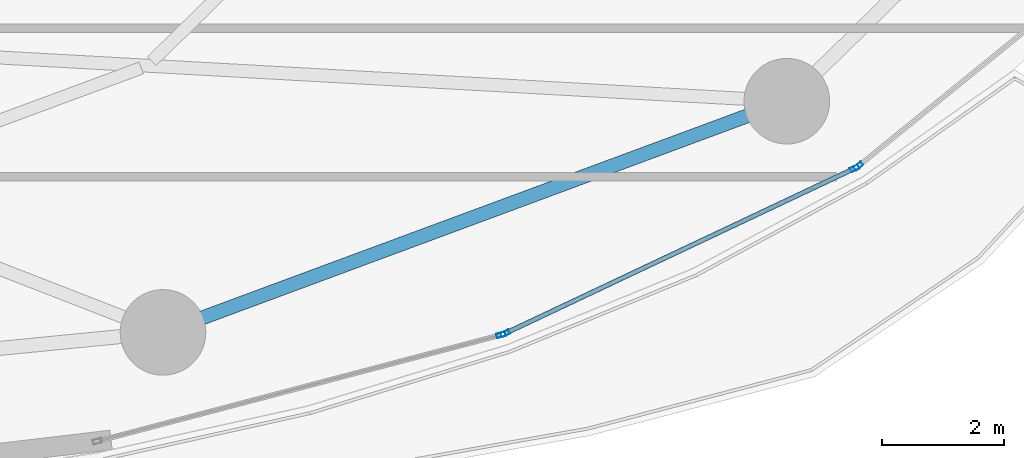
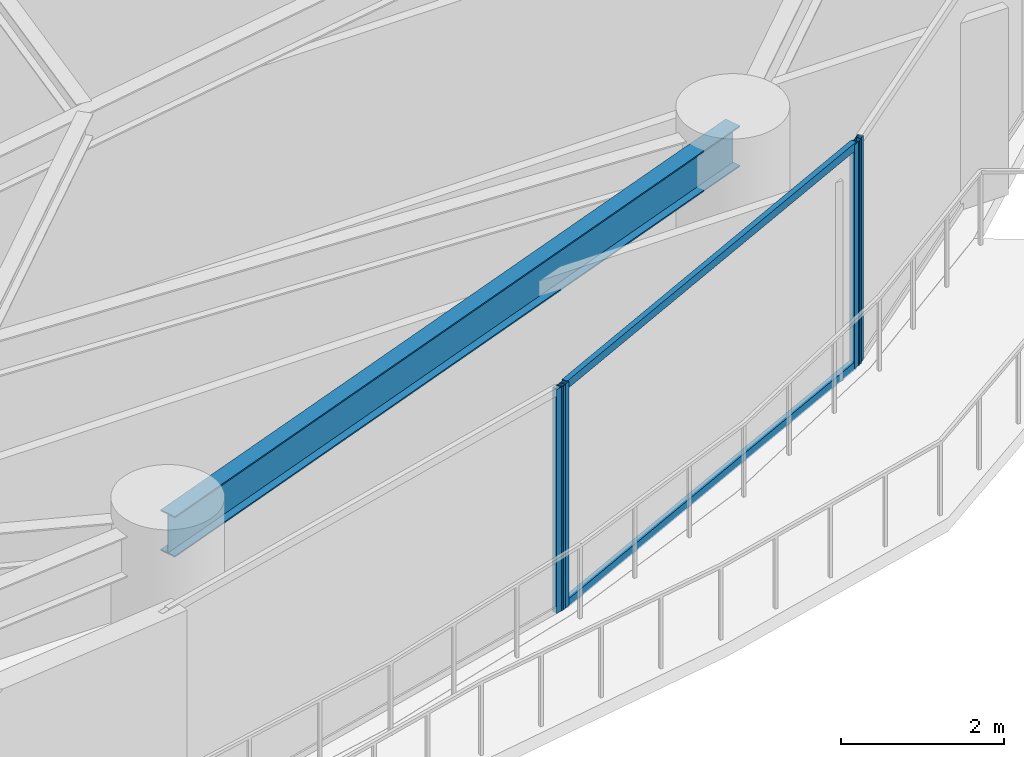
# One storey, part 14 of 32: 6 members, 1 beam, 3 elements without a shape of their own.
"""IFC4 building model written with IfcOpenShell, lengths in metres."""

from ifc_helpers import new_model, si_unit, direction, frame, origin, origin_2d, place, context, subcontext, project, spatial, hollow_rectangle, i_section, extrude, material, layer, layer_set, material_profile, profile_set, type_object, element, aggregate, save


model = new_model("IFC4")

# Units and contexts
model_context = context("Model", 3, precision=1e-05, world=origin(), true_north=direction((0.0, 1.0)))
body_context = subcontext(model_context, "Body", "Model", "MODEL_VIEW")
ifc_project = project(units=[si_unit("LENGTHUNIT", "METRE"), si_unit("AREAUNIT", "SQUARE_METRE"), si_unit("VOLUMEUNIT", "CUBIC_METRE"), si_unit("PLANEANGLEUNIT", "RADIAN"), si_unit("MASSUNIT", "GRAM", prefix="KILO")], contexts=[model_context])

# Site, building, storey
site_placement = place(None, origin())
site = spatial("IfcSite", under=ifc_project, at=site_placement, CompositionType="ELEMENT")
building_placement = place(site_placement, origin())
building = spatial("IfcBuilding", under=site, at=building_placement, Name="Kazevale Care Tower and Concert Hall", CompositionType="ELEMENT")
storey_placement = place(building_placement, frame((0.0, 0.0, 85.199951171875)))
storey = spatial("IfcBuildingStorey", under=building, at=storey_placement, Name="L22", CompositionType="ELEMENT", Elevation=85.199951171875)

# Curtain wall, member
ifc_material_1 = material(Name="Aluminium 6063-T6 and Low-E Glass", Category="aluminium")
ifc_layer = layer(ifc_material_1, 0.179931640625)
ifc_layer_set = layer_set([ifc_layer], Name="Aluminium 6063-T6 and Low-E Glass")
curtain_wall_type = type_object("IfcCurtainWallType", Name="Sheltered Concave Balcony Curtain Wall CW-5", PredefinedType="NOTDEFINED", material=ifc_layer_set)
curtain_wall_1_placement = place(storey_placement, origin())
curtain_wall_1 = element("IfcCurtainWall", 1, at=curtain_wall_1_placement, inside=storey, type_object=curtain_wall_type, Name="cw:L22:f02", PredefinedType="NOTDEFINED")
ifc_material_2 = material(Name="Aluminium 6063-T6", Category="aluminium")
ifc_material_profile_1 = material_profile(ifc_material_2, hollow_rectangle(XDim=0.074951171875, YDim=0.14990234375, WallThickness=0.00390625, at=origin_2d()), Name="ALU75x150x4")
ifc_profile_set_1 = profile_set([ifc_material_profile_1], Name="Aluminium 6063-T6")
member_type_1 = type_object("IfcMemberType", Name="CW-5 Mullion ALU75x150x4", PredefinedType="MULLION", material=ifc_profile_set_1)
member_1_placement = place(storey_placement, frame((68.41015625, 21.250732421875, 0.0), z_axis=(0.0, 0.0, 1.0), x_axis=(0.629994732952, -0.77659940539, 0.0)))
member_1 = element("IfcMember", 2, at=member_1_placement, type_object=member_type_1, Name="CW-5 mullion 2", PredefinedType="MULLION", context=body_context, shape_type="SweptSolid", body=[
    extrude(hollow_rectangle(XDim=0.074951171875, YDim=0.14990234375, WallThickness=0.00390625, at=origin_2d()), origin(), (0.0, 0.0, 1.0), 3.360107421875),
])
aggregate(curtain_wall_1, [member_1])

# Curtain wall, members
curtain_wall_2_placement = place(storey_placement, origin())
curtain_wall_2 = element("IfcCurtainWall", 3, at=curtain_wall_2_placement, inside=storey, type_object=curtain_wall_type, Name="cw:L22:f03", PredefinedType="NOTDEFINED")
member_2_placement = place(storey_placement, frame((68.34716796875, 21.2109375, 0.0), z_axis=(0.0, 0.0, 1.0), x_axis=(0.426942320459, -0.904278859092, 0.0)))
member_2 = element("IfcMember", 4, at=member_2_placement, type_object=member_type_1, Name="CW-5 mullion 1", PredefinedType="MULLION", context=body_context, shape_type="SweptSolid", body=[
    extrude(hollow_rectangle(XDim=0.074951171875, YDim=0.14990234375, WallThickness=0.00390625, at=origin_2d()), origin(), (0.0, 0.0, 1.0), 3.360107421875),
])
member_3_placement = place(storey_placement, frame((62.636962890625, 18.514892578125, 0.0), z_axis=(0.0, 0.0, 1.0), x_axis=(0.426942320459, -0.904278859092, 0.0)))
member_3 = element("IfcMember", 5, at=member_3_placement, type_object=member_type_1, Name="CW-5 mullion 2", PredefinedType="MULLION", context=body_context, shape_type="SweptSolid", body=[
    extrude(hollow_rectangle(XDim=0.074951171875, YDim=0.14990234375, WallThickness=0.00390625, at=origin_2d()), origin(), (0.0, 0.0, 1.0), 3.360107421875),
])

# Curtain wall, member
curtain_wall_3_placement = place(storey_placement, origin())
curtain_wall_3 = element("IfcCurtainWall", 6, at=curtain_wall_3_placement, inside=storey, type_object=curtain_wall_type, Name="cw:L22:f04", PredefinedType="NOTDEFINED")
member_4_placement = place(storey_placement, frame((62.566650390625, 18.489501953125, 0.0), z_axis=(0.0, 0.0, 1.0), x_axis=(0.254828630267, -0.966986230097, 0.0)))
member_4 = element("IfcMember", 7, at=member_4_placement, type_object=member_type_1, Name="CW-5 mullion 1", PredefinedType="MULLION", context=body_context, shape_type="SweptSolid", body=[
    extrude(hollow_rectangle(XDim=0.074951171875, YDim=0.14990234375, WallThickness=0.00390625, at=origin_2d()), origin(), (0.0, 0.0, 1.0), 3.360107421875),
])
aggregate(curtain_wall_3, [member_4])

# Member
ifc_material_profile_2 = material_profile(ifc_material_2, hollow_rectangle(XDim=0.074951171875, YDim=0.1201171875, WallThickness=0.00390625, at=origin_2d()), Name="ALU75x120x4")
ifc_profile_set_2 = profile_set([ifc_material_profile_2], Name="Aluminium 6063-T6")
member_type_2 = type_object("IfcMemberType", Name="CW-5 Transom ALU75x120x4", PredefinedType="USERDEFINED", material=ifc_profile_set_2)
member_5_placement = place(storey_placement, frame((68.313232421875, 21.195068359375, 0.03759765625), z_axis=(-0.904271726847, -0.426957426479, 0.0), x_axis=(0.426957426479, -0.904271726847, 0.0)))
member_5 = element("IfcMember", 8, at=member_5_placement, type_object=member_type_2, Name="CW-5 transom 1.1", ObjectType="TRANSOM", PredefinedType="USERDEFINED", context=body_context, shape_type="SweptSolid", body=[
    extrude(hollow_rectangle(XDim=0.074951171875, YDim=0.1201171875, WallThickness=0.00390625, at=origin_2d()), origin(), (0.0, 0.0, 1.0), 6.23974609375),
])

member_6_placement = place(storey_placement, frame((68.313232421875, 21.195068359375, 3.322509765625), z_axis=(-0.904271726847, -0.426957426479, 0.0), x_axis=(0.426957426479, -0.904271726847, 0.0)))
member_6 = element("IfcMember", 9, at=member_6_placement, type_object=member_type_2, Name="CW-5 transom 1.2", ObjectType="TRANSOM", PredefinedType="USERDEFINED", context=body_context, shape_type="SweptSolid", body=[
    extrude(hollow_rectangle(XDim=0.074951171875, YDim=0.1201171875, WallThickness=0.00390625, at=origin_2d()), origin(), (0.0, 0.0, 1.0), 6.23974609375),
])

aggregate(curtain_wall_2, [member_2, member_3, member_5, member_6])

# Beam
ifc_material_3 = material(Name="Steel ASTM A572 Gr 50", Category="steel")
ifc_material_profile_3 = material_profile(ifc_material_3, i_section(OverallWidth=0.22900390625, OverallDepth=0.612060546875, WebThickness=0.011962890625, FlangeThickness=0.01953125, at=origin_2d()), Name="W610x125")
ifc_profile_set_3 = profile_set([ifc_material_profile_3], Name="Steel ASTM A572 Gr 50")
beam_type = type_object("IfcBeamType", Name="Ring Spandrel Beam W610x125", PredefinedType="SPANDREL", material=ifc_profile_set_3)
beam_placement = place(storey_placement, frame((57.0400390625, 18.530029296875, 3.053955078125), z_axis=(0.937680788596, 0.347497825458, 0.0), x_axis=(-0.347497825458, 0.937680788596, 0.0)))
element("IfcBeam", 10, at=beam_placement, inside=storey, type_object=beam_type, Name="beam:L22:ring:14", PredefinedType="SPANDREL", context=body_context, shape_type="SweptSolid", body=[
    extrude(i_section(OverallWidth=0.22900390625, OverallDepth=0.612060546875, WebThickness=0.011962890625, FlangeThickness=0.01953125, at=origin_2d()), origin(), (0.0, 0.0, 1.0), 10.8779296875),
])

save(model, "model.ifc")
